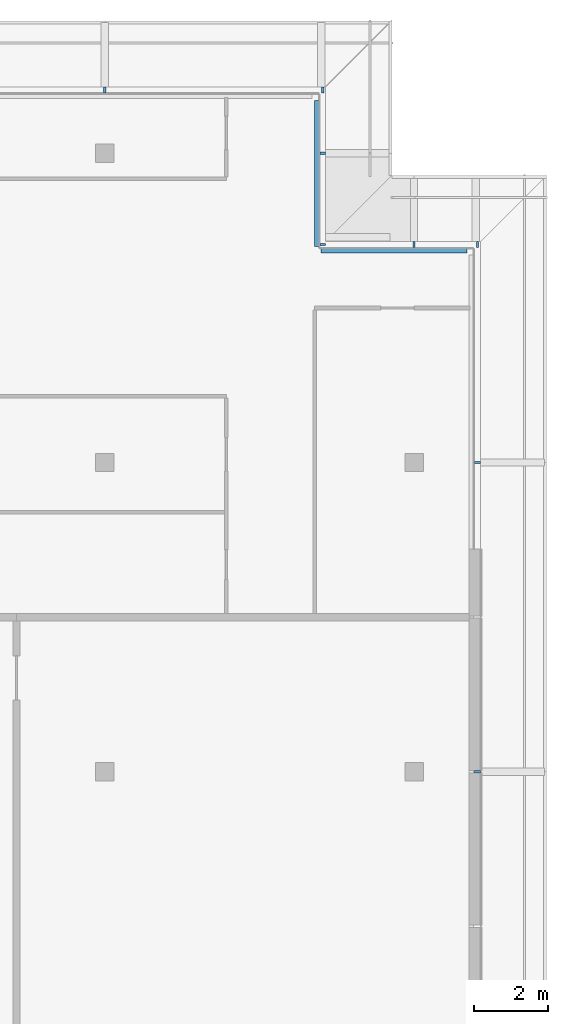
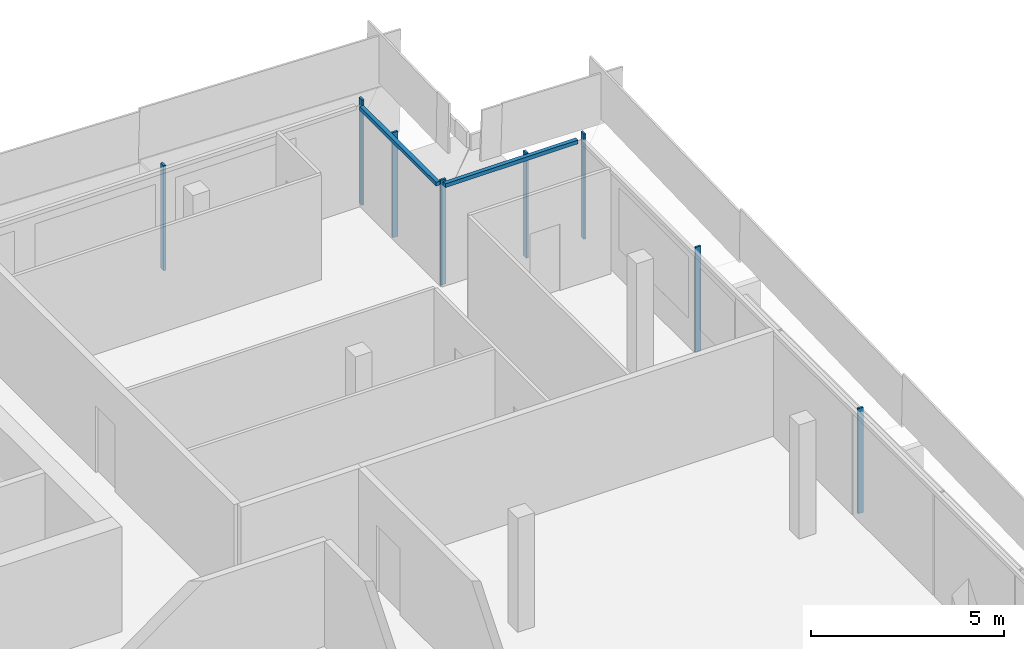
# One storey, part 14 of 33: 10 members, 4 elements without a shape of their own.
"""IFC4 building model written with IfcOpenShell, lengths in metres."""

from ifc_helpers import new_model, si_unit, direction, frame, origin, origin_2d, place, context, subcontext, project, spatial, rectangle, extrude, material, material_profile, profile_set, type_object, element, aggregate, save


model = new_model("IFC4")

# Units and contexts
model_context = context("Model", 3, precision=1e-05, world=origin(), true_north=direction((0.0, 1.0)))
body_context = subcontext(model_context, "Body", "Model", "MODEL_VIEW")
ifc_project = project(units=[si_unit("LENGTHUNIT", "METRE"), si_unit("AREAUNIT", "SQUARE_METRE"), si_unit("VOLUMEUNIT", "CUBIC_METRE"), si_unit("PLANEANGLEUNIT", "RADIAN"), si_unit("MASSUNIT", "GRAM", prefix="KILO")], contexts=[model_context])

# Site, building, storey
site_placement = place(None, origin())
site = spatial("IfcSite", under=ifc_project, at=site_placement, CompositionType="ELEMENT")
building_placement = place(site_placement, origin())
building = spatial("IfcBuilding", under=site, at=building_placement, Name="Saffron Gate Tower", CompositionType="ELEMENT")
storey_placement = place(building_placement, frame((0.0, 0.0, 263.550048828125)))
storey = spatial("IfcBuildingStorey", under=building, at=storey_placement, Name="L63", CompositionType="ELEMENT", Elevation=263.550048828125)

# Curtain wall, members
ifc_material = material(Name="Aluminium, bronze anodised", Category="aluminium")
curtain_wall_type_1 = type_object("IfcCurtainWallType", Name="CWS2 curtain wall side facades", PredefinedType="NOTDEFINED", material=ifc_material)
curtain_wall_1_placement = place(storey_placement, origin())
curtain_wall_1 = element("IfcCurtainWall", 1, at=curtain_wall_1_placement, inside=storey, type_object=curtain_wall_type_1, Name="CWS2 run 4", PredefinedType="NOTDEFINED")
ifc_material_profile_1 = material_profile(ifc_material, rectangle(XDim=0.159912109375, YDim=0.06005859375, at=origin_2d()))
ifc_profile_set_1 = profile_set([ifc_material_profile_1], Name="Aluminium, bronze anodised")
member_type_1 = type_object("IfcMemberType", Name="CWS2 mullion 60x160", PredefinedType="MULLION", material=ifc_profile_set_1)
member_1_placement = place(storey_placement, frame((127.1201171875, 57.0, 0.0), z_axis=(0.0, 0.0, 1.0), x_axis=(-1.0, 0.0, 0.0)))
member_1 = element("IfcMember", 2, at=member_1_placement, type_object=member_type_1, Name="CWS2 mullion 4", PredefinedType="MULLION", context=body_context, shape_type="SweptSolid", body=[
    extrude(rectangle(XDim=0.159912109375, YDim=0.06005859375, at=origin_2d()), origin(), (0.0, 0.0, 1.0), 3.320068359375),
])
member_2_placement = place(storey_placement, frame((127.1201171875, 65.39990234375, 0.0), z_axis=(0.0, 0.0, 1.0), x_axis=(-1.0, 0.0, 0.0)))
member_2 = element("IfcMember", 3, at=member_2_placement, type_object=member_type_1, Name="CWS2 mullion 5", PredefinedType="MULLION", context=body_context, shape_type="SweptSolid", body=[
    extrude(rectangle(XDim=0.159912109375, YDim=0.06005859375, at=origin_2d()), origin(), (0.0, 0.0, 1.0), 3.320068359375),
])
aggregate(curtain_wall_1, [member_1, member_2])

curtain_wall_type_2 = type_object("IfcCurtainWallType", Name="CWS3 curtain wall rear facade", PredefinedType="NOTDEFINED", material=ifc_material)
curtain_wall_2_placement = place(storey_placement, origin())
curtain_wall_2 = element("IfcCurtainWall", 4, at=curtain_wall_2_placement, inside=storey, type_object=curtain_wall_type_2, Name="CWS3 run 7", PredefinedType="NOTDEFINED")
ifc_material_profile_2 = material_profile(ifc_material, rectangle(XDim=0.159912109375, YDim=0.070068359375, at=origin_2d()))
ifc_profile_set_2 = profile_set([ifc_material_profile_2], Name="Aluminium, bronze anodised")
member_type_2 = type_object("IfcMemberType", Name="CWS3 mullion 70x160", PredefinedType="MULLION", material=ifc_profile_set_2)
member_3_placement = place(storey_placement, frame((122.919921875, 75.52001953125, 0.0), z_axis=(0.0, 0.0, 1.0), x_axis=(0.0, -1.0, 0.0)))
member_3 = element("IfcMember", 5, at=member_3_placement, type_object=member_type_2, Name="CWS3 mullion 1", PredefinedType="MULLION", context=body_context, shape_type="SweptSolid", body=[
    extrude(rectangle(XDim=0.159912109375, YDim=0.070068359375, at=origin_2d()), origin(), (0.0, 0.0, 1.0), 3.320068359375),
])
member_4_placement = place(storey_placement, frame((117.0, 75.52001953125, 0.0), z_axis=(0.0, 0.0, 1.0), x_axis=(0.0, -1.0, 0.0)))
member_4 = element("IfcMember", 6, at=member_4_placement, type_object=member_type_2, Name="CWS3 mullion 2", PredefinedType="MULLION", context=body_context, shape_type="SweptSolid", body=[
    extrude(rectangle(XDim=0.159912109375, YDim=0.070068359375, at=origin_2d()), origin(), (0.0, 0.0, 1.0), 3.320068359375),
])
aggregate(curtain_wall_2, [member_3, member_4])

# Curtain wall, member
curtain_wall_type_3 = type_object("IfcCurtainWallType", Name="CWS4 curtain wall corner returns", PredefinedType="NOTDEFINED", material=ifc_material)
curtain_wall_3_placement = place(storey_placement, origin())
curtain_wall_3 = element("IfcCurtainWall", 7, at=curtain_wall_3_placement, inside=storey, type_object=curtain_wall_type_3, Name="CWS4 run 5", PredefinedType="NOTDEFINED")
ifc_material_profile_3 = material_profile(ifc_material, rectangle(XDim=0.1201171875, YDim=0.1201171875, at=origin_2d()))
ifc_profile_set_3 = profile_set([ifc_material_profile_3], Name="Aluminium, bronze anodised")
member_type_3 = type_object("IfcMemberType", Name="CWS4 head transom", PredefinedType="USERDEFINED", material=ifc_profile_set_3)
member_5_placement = place(storey_placement, frame((126.83203125, 71.152099609375, 3.260009765625), z_axis=(-1.0, 0.0, 0.0), x_axis=(0.0, -1.0, 0.0)))
member_5 = element("IfcMember", 8, at=member_5_placement, type_object=member_type_3, Name="CWS4 head transom", ObjectType="TRANSOM", PredefinedType="USERDEFINED", context=body_context, shape_type="SweptSolid", body=[
    extrude(rectangle(XDim=0.1201171875, YDim=0.1201171875, at=origin_2d()), origin(), (0.0, 0.0, 1.0), 3.9599609375),
])

curtain_wall_4_placement = place(storey_placement, origin())
curtain_wall_4 = element("IfcCurtainWall", 9, at=curtain_wall_4_placement, inside=storey, type_object=curtain_wall_type_3, Name="CWS4 run 6", PredefinedType="NOTDEFINED")
member_6_placement = place(storey_placement, frame((122.751953125, 71.27197265625, 3.260009765625), z_axis=(0.0, 1.0, 0.0), x_axis=(-1.0, 0.0, 0.0)))
member_6 = element("IfcMember", 10, at=member_6_placement, type_object=member_type_3, Name="CWS4 head transom", ObjectType="TRANSOM", PredefinedType="USERDEFINED", context=body_context, shape_type="SweptSolid", body=[
    extrude(rectangle(XDim=0.1201171875, YDim=0.1201171875, at=origin_2d()), origin(), (0.0, 0.0, 1.0), 3.9599609375),
])

# Member
ifc_material_profile_4 = material_profile(ifc_material, rectangle(XDim=0.159912109375, YDim=0.06005859375, at=origin_2d()))
ifc_profile_set_4 = profile_set([ifc_material_profile_4], Name="Aluminium, bronze anodised")
member_type_4 = type_object("IfcMemberType", Name="CWS4 mullion 60x160", PredefinedType="MULLION", material=ifc_profile_set_4)
member_7_placement = place(storey_placement, frame((127.1201171875, 71.320068359375, 0.0), z_axis=(0.0, 0.0, 1.0), x_axis=(0.0, -1.0, 0.0)))
member_7 = element("IfcMember", 11, at=member_7_placement, type_object=member_type_4, Name="CWS4 mullion 1", PredefinedType="MULLION", context=body_context, shape_type="SweptSolid", body=[
    extrude(rectangle(XDim=0.159912109375, YDim=0.06005859375, at=origin_2d()), origin(), (0.0, 0.0, 1.0), 3.320068359375),
])

member_8_placement = place(storey_placement, frame((125.39990234375, 71.320068359375, 0.0), z_axis=(0.0, 0.0, 1.0), x_axis=(0.0, -1.0, 0.0)))
member_8 = element("IfcMember", 12, at=member_8_placement, type_object=member_type_4, Name="CWS4 mullion 2", PredefinedType="MULLION", context=body_context, shape_type="SweptSolid", body=[
    extrude(rectangle(XDim=0.159912109375, YDim=0.06005859375, at=origin_2d()), origin(), (0.0, 0.0, 1.0), 3.320068359375),
])

aggregate(curtain_wall_3, [member_7, member_8, member_5])

member_9_placement = place(storey_placement, frame((122.919921875, 71.320068359375, 0.0), z_axis=(0.0, 0.0, 1.0), x_axis=(-1.0, 0.0, 0.0)))
member_9 = element("IfcMember", 13, at=member_9_placement, type_object=member_type_4, Name="CWS4 mullion 1", PredefinedType="MULLION", context=body_context, shape_type="SweptSolid", body=[
    extrude(rectangle(XDim=0.159912109375, YDim=0.06005859375, at=origin_2d()), origin(), (0.0, 0.0, 1.0), 3.320068359375),
])

member_10_placement = place(storey_placement, frame((122.919921875, 73.800048828125, 0.0), z_axis=(0.0, 0.0, 1.0), x_axis=(-1.0, 0.0, 0.0)))
member_10 = element("IfcMember", 14, at=member_10_placement, type_object=member_type_4, Name="CWS4 mullion 2", PredefinedType="MULLION", context=body_context, shape_type="SweptSolid", body=[
    extrude(rectangle(XDim=0.159912109375, YDim=0.06005859375, at=origin_2d()), origin(), (0.0, 0.0, 1.0), 3.320068359375),
])

aggregate(curtain_wall_4, [member_9, member_10, member_6])

save(model, "model.ifc")
